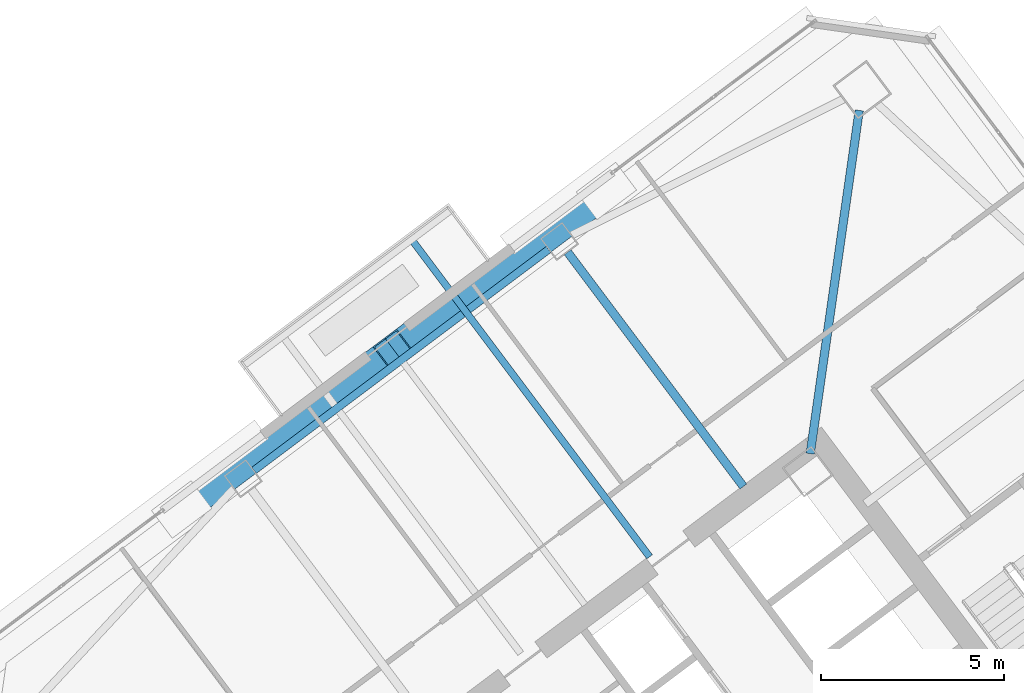
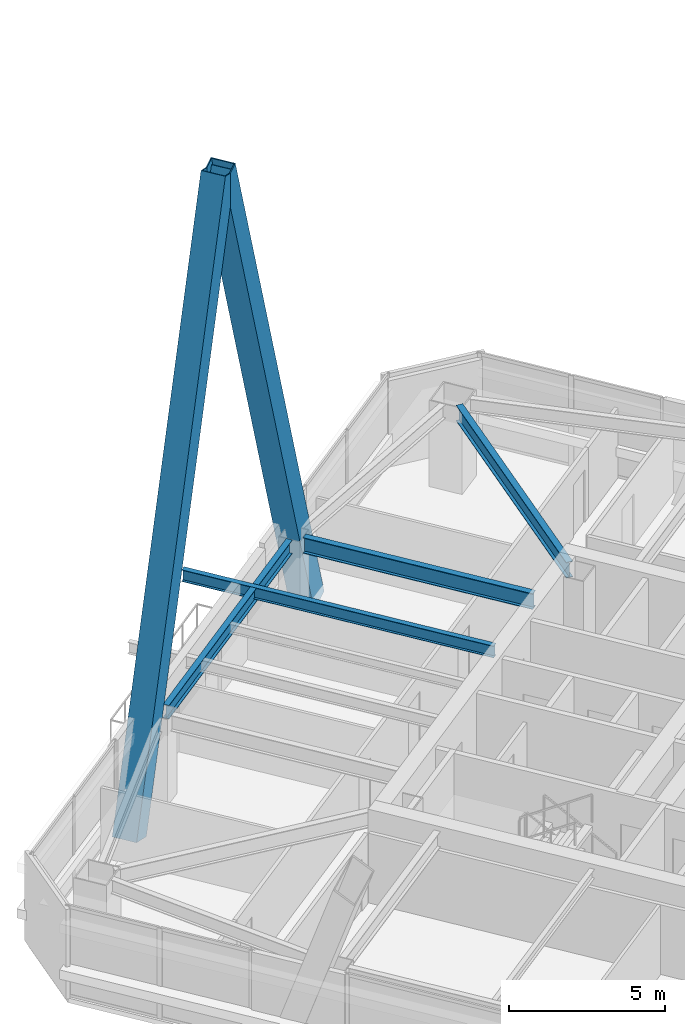
# One storey, part 39 of 55: 4 beams, 2 members.
"""IFC4 building model written with IfcOpenShell, lengths in metres."""

from ifc_helpers import new_model, si_unit, direction, frame, origin, origin_2d, place, context, subcontext, project, spatial, hollow_rectangle, i_section, extrude, material, material_profile, profile_set, type_object, element, save


model = new_model("IFC4")

# Units and contexts
model_context = context("Model", 3, precision=1e-05, world=origin(), true_north=direction((0.0, 1.0)))
body_context = subcontext(model_context, "Body", "Model", "MODEL_VIEW")
ifc_project = project(units=[si_unit("LENGTHUNIT", "METRE"), si_unit("AREAUNIT", "SQUARE_METRE"), si_unit("VOLUMEUNIT", "CUBIC_METRE"), si_unit("PLANEANGLEUNIT", "RADIAN"), si_unit("MASSUNIT", "GRAM", prefix="KILO")], contexts=[model_context])

# Site, building, storey
site_placement = place(None, origin())
site = spatial("IfcSite", under=ifc_project, at=site_placement, CompositionType="ELEMENT")
building_placement = place(site_placement, origin())
building = spatial("IfcBuilding", under=site, at=building_placement, Name="Tashvorn Skyway Center", CompositionType="ELEMENT")
storey_placement = place(building_placement, frame((0.0, 0.0, 178.300048828125)))
storey = spatial("IfcBuildingStorey", under=building, at=storey_placement, Name="L48", CompositionType="ELEMENT", Elevation=178.300048828125)

# Beams
ifc_material_1 = material(Name="Steel ASTM A992 Grade 50", Category="steel")
ifc_material_profile_1 = material_profile(ifc_material_1, i_section(OverallWidth=0.22998046875, OverallDepth=0.616943359375, WebThickness=0.01318359375, FlangeThickness=0.022216796875, at=origin_2d()), Name="W24X94")
ifc_profile_set_1 = profile_set([ifc_material_profile_1], Name="Steel ASTM A992 Grade 50")
beam_type_1 = type_object("IfcBeamType", Name="BM-BEAM-W24X94", PredefinedType="BEAM", material=ifc_profile_set_1)
beam_1_placement = place(storey_placement, frame((116.8193359375, 51.73583984375, 3.0615234375), z_axis=(-0.141417747326, -0.989950009213, 0.0), x_axis=(0.989950009213, -0.141417747326, 0.0)))
element("IfcBeam", 1, at=beam_1_placement, inside=storey, type_object=beam_type_1, Name="Tower 2 L48 Primary Floor Girder MC-NE", PredefinedType="BEAM", context=body_context, shape_type="SweptSolid", body=[
    extrude(i_section(OverallWidth=0.22998046875, OverallDepth=0.616943359375, WebThickness=0.01318359375, FlangeThickness=0.022216796875, at=origin_2d()), origin(), (0.0, 0.0, 1.0), 9.470947265625),
])
beam_2_placement = place(storey_placement, frame((108.85205078125, 47.864013671875, 3.0615234375), z_axis=(0.60000976564, -0.799992675677, 0.0), x_axis=(0.799992675677, 0.60000976564, 0.0)))
element("IfcBeam", 2, at=beam_2_placement, inside=storey, type_object=beam_type_1, Name="Tower 2 L48 Primary Floor Girder FC-N1", PredefinedType="BEAM", context=body_context, shape_type="SweptSolid", body=[
    extrude(i_section(OverallWidth=0.22998046875, OverallDepth=0.616943359375, WebThickness=0.01318359375, FlangeThickness=0.022216796875, at=origin_2d()), origin(), (0.0, 0.0, 1.0), 8.0),
])
ifc_material_profile_2 = material_profile(ifc_material_1, i_section(OverallWidth=0.19091796875, OverallDepth=0.4599609375, WebThickness=0.010009765625, FlangeThickness=0.01611328125, at=origin_2d()), Name="W18X55")
ifc_profile_set_2 = profile_set([ifc_material_profile_2], Name="Steel ASTM A992 Grade 50")
beam_type_2 = type_object("IfcBeamType", Name="BM-JOIST-W18X55", PredefinedType="JOIST", material=ifc_profile_set_2)
beam_3_placement = place(storey_placement, frame((111.092041015625, 39.5439453125, 3.139892578125), z_axis=(-0.599996406394, 0.800002695192, 0.0), x_axis=(-0.800002695192, -0.599996406394, 0.0)))
element("IfcBeam", 3, at=beam_3_placement, inside=storey, type_object=beam_type_2, Name="Tower 2 L49 Terrace Cantilever Outlooker 2", PredefinedType="JOIST", context=body_context, shape_type="SweptSolid", body=[
    extrude(i_section(OverallWidth=0.19091796875, OverallDepth=0.4599609375, WebThickness=0.010009765625, FlangeThickness=0.01611328125, at=origin_2d()), origin(), (0.0, 0.0, 1.0), 10.8701171875),
])
ifc_material_profile_3 = material_profile(ifc_material_1, i_section(OverallWidth=0.2109375, OverallDepth=0.5390625, WebThickness=0.01171875, FlangeThickness=0.018798828125, at=origin_2d()), Name="W21X73")
ifc_profile_set_3 = profile_set([ifc_material_profile_3], Name="Steel ASTM A992 Grade 50")
beam_type_3 = type_object("IfcBeamType", Name="BM-SPANDREL-W21X73", PredefinedType="SPANDREL", material=ifc_profile_set_3)
beam_4_placement = place(storey_placement, frame((108.333984375, 47.93798828125, 3.100341796875), z_axis=(-0.800008736549, -0.599988351091, 0.0), x_axis=(0.599988351091, -0.800008736549, 0.0)))
element("IfcBeam", 4, at=beam_4_placement, inside=storey, type_object=beam_type_3, Name="Tower 2 L48 Spandrel Beam 08", PredefinedType="SPANDREL", context=body_context, shape_type="SweptSolid", body=[
    extrude(i_section(OverallWidth=0.2109375, OverallDepth=0.5390625, WebThickness=0.01171875, FlangeThickness=0.018798828125, at=origin_2d()), origin(), (0.0, 0.0, 1.0), 10.06005859375),
])

# Members
ifc_material_2 = material(Name="Steel ASTM A572 Grade 50", Category="steel")
ifc_material_profile_4 = material_profile(ifc_material_2, hollow_rectangle(XDim=0.85009765625, YDim=0.85009765625, WallThickness=0.034912109375, at=origin_2d()), Name="BOX850x850x35")
ifc_profile_set_4 = profile_set([ifc_material_profile_4], Name="Steel ASTM A572 Grade 50")
member_type = type_object("IfcMemberType", Name="MEM-MB-850", PredefinedType="BRACE", material=ifc_profile_set_4)
for number, where, z_axis, x_axis, name in (
    (5, (109.912109375, 49.533935546875, -0.449951171875), (-0.256700246092, -0.192517080634, 0.947123095126), (0.599983835976, -0.800012122763, 0.0), "Tower 2 Zone 4 N Chevron Mega-Brace L2"),
    (6, (98.31201171875, 40.833984375, -0.449951171875), (0.256699712092, 0.192527485375, 0.947121124876), (-0.600005387845, 0.799995959088, 0.0), "Tower 2 Zone 4 N Chevron Mega-Brace R2"),
):
    element("IfcMember", number, at=place(storey_placement, frame(where, z_axis=z_axis, x_axis=x_axis)), inside=storey, type_object=member_type, Name=name, PredefinedType="BRACE", context=body_context, shape_type="SweptSolid", body=[
        extrude(hollow_rectangle(XDim=0.85009765625, YDim=0.85009765625, WallThickness=0.034912109375, at=origin_2d()), origin(), (0.0, 0.0, 1.0), 22.5947265625),
    ])

save(model, "model.ifc")
